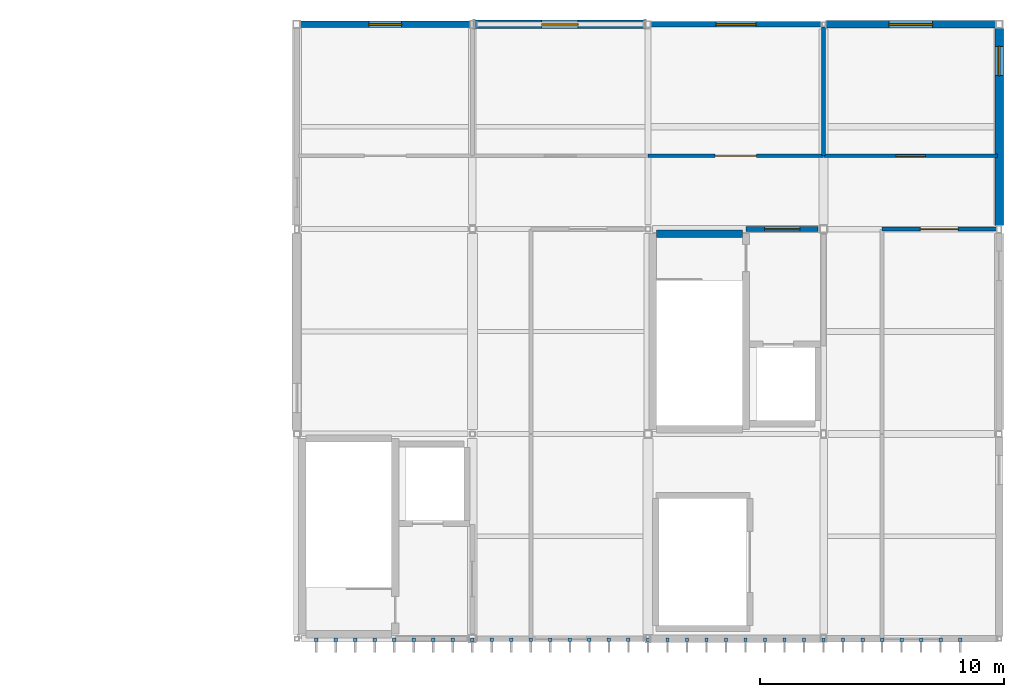
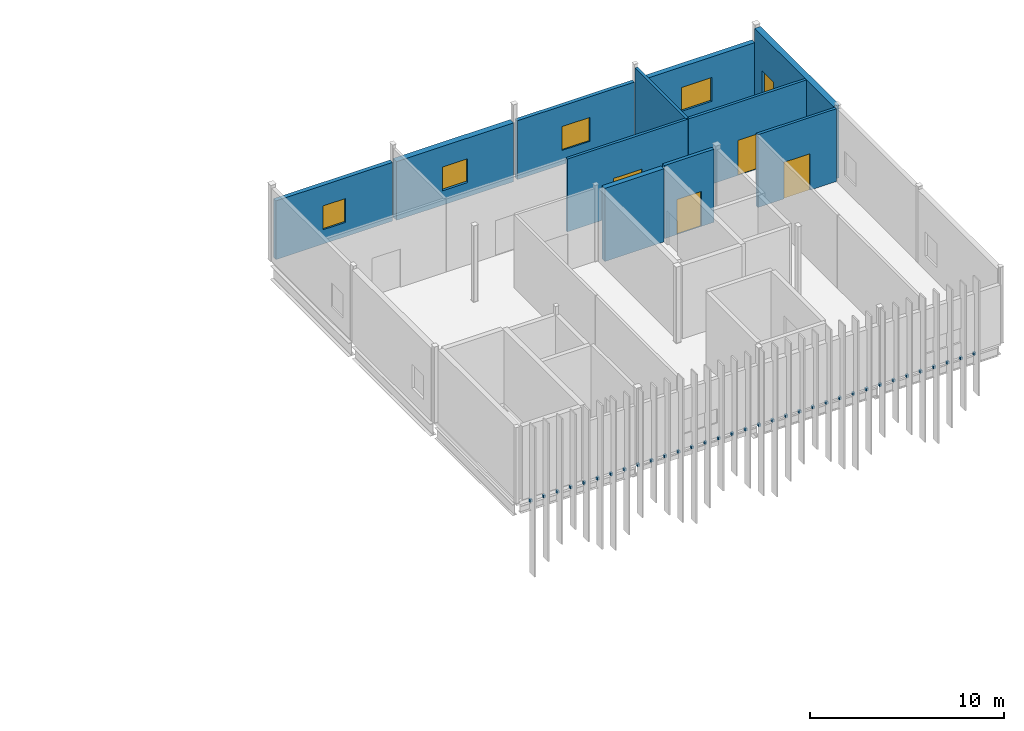
# One storey, part 22 of 27: 34 discrete accessories, 11 walls, 5 windows, 4 doors, 9 openings.
"""IFC4 building model written with IfcOpenShell, lengths in metres."""

from ifc_helpers import new_model, si_unit, direction, frame, frame_2d, origin, origin_2d, place, context, subcontext, project, spatial, rectangle, extrude, material, layer, layer_set, type_object, element, fill, save


model = new_model("IFC4")

# Units and contexts
model_context = context("Model", 3, precision=1e-05, world=origin(), true_north=direction((0.0, 1.0)))
body_context = subcontext(model_context, "Body", "Model", "MODEL_VIEW")
ifc_project = project(units=[si_unit("LENGTHUNIT", "METRE"), si_unit("AREAUNIT", "SQUARE_METRE"), si_unit("VOLUMEUNIT", "CUBIC_METRE"), si_unit("PLANEANGLEUNIT", "RADIAN"), si_unit("MASSUNIT", "GRAM", prefix="KILO")], contexts=[model_context])

# Site, building, storey
site_placement = place(None, origin())
site = spatial("IfcSite", under=ifc_project, at=site_placement, CompositionType="ELEMENT")
building_placement = place(site_placement, origin())
building = spatial("IfcBuilding", under=site, at=building_placement, Name="Calvrana Isthmian Art Gallery", CompositionType="ELEMENT")
storey_placement = place(building_placement, frame((0.0, 0.0, 24.60009765625)))
storey = spatial("IfcBuildingStorey", under=building, at=storey_placement, Name="L05", CompositionType="ELEMENT", Elevation=24.60009765625)

# Wall
ifc_material_1 = material(Name="Concrete C40/50", Category="concrete")
ifc_layer_1 = layer(ifc_material_1, 0.300048828125, Name="Concrete C40/50")
ifc_layer_set_1 = layer_set([ifc_layer_1], Name="Concrete C40/50")
wall_type_1 = type_object("IfcWallType", Name="CW-SHAFT-300", PredefinedType="SHEAR", material=ifc_layer_set_1)
wall_1_placement = place(storey_placement, frame((127.550048828125, 38.2099609375, 0.0), z_axis=(0.0, 0.0, 1.0), x_axis=(1.0, 0.0, 0.0)))
element("IfcWall", 1, at=wall_1_placement, inside=storey, type_object=wall_type_1, Name="Core C4 shear wall N L05", PredefinedType="SHEAR", context=body_context, shape_type="SweptSolid", body=[
    extrude(rectangle(XDim=3.52001953125, YDim=0.300048828125, at=frame_2d((1.760009765625, 0.0))), origin(), (0.0, 0.0, 1.0), 4.599853515625),
])

# Wall, opening, window
ifc_material_2 = material(Name="Precast concrete C40/50", Category="concrete")
ifc_layer_2 = layer(ifc_material_2, 0.219970703125, Name="Precast concrete C40/50")
ifc_layer_set_2 = layer_set([ifc_layer_2], Name="Precast concrete C40/50")
wall_type_2 = type_object("IfcWallType", Name="EW-ACOUST-220", PredefinedType="SOLIDWALL", material=ifc_layer_set_2)
wall_2_placement = place(storey_placement, frame((127.326904296875, 46.800048828125, 0.0), z_axis=(0.0, 0.0, 1.0), x_axis=(1.0, 0.0, 0.0)))
wall_2 = element("IfcWall", 2, at=wall_2_placement, inside=storey, type_object=wall_type_2, Name="Exterior wall EW-222", PredefinedType="SOLIDWALL", context=body_context, shape_type="SweptSolid", body=[
    extrude(rectangle(XDim=6.971435546875, YDim=0.219970703125, at=frame_2d((3.48583984375, 0.0))), origin(), (0.0, 0.0, 1.0), 3.69482421875),
])
opening_1_placement = place(wall_2_placement, frame((2.66064453125, 0.0, 0.89990234375)))
opening_1 = element("IfcOpeningElement", 3, at=opening_1_placement, cuts=wall_2, Name="Opening W-167", PredefinedType="OPENING", context=body_context, shape_type="SweptSolid", body=[
    extrude(rectangle(XDim=1.64990234375, YDim=1.5, at=frame_2d((0.824951171875, 0.75))), frame((0.0, 0.1201171875, 0.0), z_axis=(0.0, -1.0, 0.0), x_axis=(1.0, 0.0, 0.0)), (0.0, 0.0, 1.0), 0.240478515625),
])
ifc_material_3 = material(Name="Low-E laminated solar glass", Category="glass")
window_type_1 = type_object("IfcWindowType", Name="WN-G04", PartitioningType="SINGLE_PANEL", PredefinedType="WINDOW", material=ifc_material_3)
window_1_placement = place(opening_1_placement, origin())
window_1 = element("IfcWindow", 4, at=window_1_placement, inside=storey, type_object=window_type_1, Name="Facade window W-167", OverallHeight=1.5, OverallWidth=1.64990234375, PartitioningType="SINGLE_PANEL", PredefinedType="WINDOW", context=body_context, shape_type="SweptSolid", body=[
    extrude(rectangle(XDim=1.64990234375, YDim=1.5, at=frame_2d((0.824951171875, 0.75))), frame((0.0, 0.030029296875, 0.0), z_axis=(0.0, -1.0, 0.0), x_axis=(1.0, 0.0, 0.0)), (0.0, 0.0, 1.0), 0.06005859375),
])
fill(opening_1, window_1)

ifc_material_4 = material(Name="Pale Isthmian limestone", Category="masonry")
ifc_layer_3 = layer(ifc_material_4, 0.300048828125, Name="Pale Isthmian limestone")
ifc_layer_set_3 = layer_set([ifc_layer_3], Name="Pale Isthmian limestone")
wall_type_3 = type_object("IfcWallType", Name="EW-LIME-300", PredefinedType="SOLIDWALL", material=ifc_layer_set_3)
wall_3_placement = place(storey_placement, frame((134.501708984375, 46.800048828125, 0.0), z_axis=(0.0, 0.0, 1.0), x_axis=(1.0, 0.0, 0.0)))
wall_3 = element("IfcWall", 5, at=wall_3_placement, inside=storey, type_object=wall_type_3, Name="Exterior wall EW-223", PredefinedType="SOLIDWALL", context=body_context, shape_type="SweptSolid", body=[
    extrude(rectangle(XDim=6.94580078125, YDim=0.300048828125, at=frame_2d((3.472900390625, 0.0))), origin(), (0.0, 0.0, 1.0), 3.69482421875),
])
opening_2_placement = place(wall_3_placement, frame((2.572998046875, 0.0, 0.89990234375)))
opening_2 = element("IfcOpeningElement", 6, at=opening_2_placement, cuts=wall_3, Name="Opening W-168", PredefinedType="OPENING", context=body_context, shape_type="SweptSolid", body=[
    extrude(rectangle(XDim=1.800048828125, YDim=1.5, at=frame_2d((0.89990234375, 0.75))), frame((0.0, 0.16015625, 0.0), z_axis=(0.0, -1.0, 0.0), x_axis=(1.0, 0.0, 0.0)), (0.0, 0.0, 1.0), 0.320556640625),
])
window_type_2 = type_object("IfcWindowType", Name="WN-G05", PartitioningType="DOUBLE_PANEL_VERTICAL", PredefinedType="WINDOW", material=ifc_material_3)
window_2_placement = place(opening_2_placement, origin())
window_2 = element("IfcWindow", 7, at=window_2_placement, inside=storey, type_object=window_type_2, Name="Facade window W-168", OverallHeight=1.5, OverallWidth=1.800048828125, PartitioningType="SINGLE_PANEL", PredefinedType="WINDOW", context=body_context, shape_type="SweptSolid", body=[
    extrude(rectangle(XDim=1.800048828125, YDim=1.5, at=frame_2d((0.89990234375, 0.75))), frame((0.0, 0.030029296875, 0.0), z_axis=(0.0, -1.0, 0.0), x_axis=(1.0, 0.0, 0.0)), (0.0, 0.0, 1.0), 0.06005859375),
])
fill(opening_2, window_2)

ifc_layer_4 = layer(ifc_material_2, 0.35009765625, Name="Precast concrete C40/50")
ifc_layer_set_4 = layer_set([ifc_layer_4], Name="Precast concrete C40/50")
wall_type_4 = type_object("IfcWallType", Name="EW-PREC-350", PredefinedType="SOLIDWALL", material=ifc_layer_set_4)
wall_4_placement = place(storey_placement, frame((120.1015625, 46.800048828125, 0.0), z_axis=(0.0, 0.0, 1.0), x_axis=(1.0, 0.0, 0.0)))
wall_4 = element("IfcWall", 8, at=wall_4_placement, inside=storey, type_object=wall_type_4, Name="Exterior wall EW-221", PredefinedType="SOLIDWALL", context=body_context, shape_type="SweptSolid", body=[
    extrude(rectangle(XDim=6.971435546875, YDim=0.35009765625, at=frame_2d((3.48583984375, 0.0))), origin(), (0.0, 0.0, 1.0), 3.69482421875),
])
opening_3_placement = place(wall_4_placement, frame((2.735595703125, 0.0, 0.89990234375)))
opening_3 = element("IfcOpeningElement", 9, at=opening_3_placement, cuts=wall_4, Name="Opening W-166", PredefinedType="OPENING", context=body_context, shape_type="SweptSolid", body=[
    extrude(rectangle(XDim=1.5, YDim=1.5, at=frame_2d((0.75, 0.75))), frame((0.0, 0.185302734375, 0.0), z_axis=(0.0, -1.0, 0.0), x_axis=(1.0, 0.0, 0.0)), (0.0, 0.0, 1.0), 0.37060546875),
])
window_type_3 = type_object("IfcWindowType", Name="WN-G03", PartitioningType="SINGLE_PANEL", PredefinedType="WINDOW", material=ifc_material_3)
window_3_placement = place(opening_3_placement, origin())
window_3 = element("IfcWindow", 10, at=window_3_placement, inside=storey, type_object=window_type_3, Name="Facade window W-166", OverallHeight=1.5, OverallWidth=1.5, PartitioningType="SINGLE_PANEL", PredefinedType="WINDOW", context=body_context, shape_type="SweptSolid", body=[
    extrude(rectangle(XDim=1.5, YDim=1.5, at=frame_2d((0.75, 0.75))), frame((0.0, 0.030029296875, 0.0), z_axis=(0.0, -1.0, 0.0), x_axis=(1.0, 0.0, 0.0)), (0.0, 0.0, 1.0), 0.06005859375),
])
fill(opening_3, window_3)

wall_5_placement = place(storey_placement, frame((141.60009765625, 46.647705078125, 0.0), z_axis=(0.0, 0.0, 1.0), x_axis=(0.0, -1.0, 0.0)))
wall_5 = element("IfcWall", 11, at=wall_5_placement, inside=storey, type_object=wall_type_4, Name="Exterior wall EW-233", PredefinedType="SOLIDWALL", context=body_context, shape_type="SweptSolid", body=[
    extrude(rectangle(XDim=8.09521484375, YDim=0.35009765625, at=frame_2d((4.047607421875, 0.0))), origin(), (0.0, 0.0, 1.0), 4.599853515625),
])
opening_4_placement = place(wall_5_placement, frame((0.75, 0.0, 0.89990234375)))
opening_4 = element("IfcOpeningElement", 12, at=opening_4_placement, cuts=wall_5, Name="Opening W-178", PredefinedType="OPENING", context=body_context, shape_type="SweptSolid", body=[
    extrude(rectangle(XDim=1.199951171875, YDim=1.5, at=frame_2d((0.60009765625, 0.75))), frame((0.0, 0.185302734375, 0.0), z_axis=(0.0, -1.0, 0.0), x_axis=(1.0, 0.0, 0.0)), (0.0, 0.0, 1.0), 0.37060546875),
])
window_type_4 = type_object("IfcWindowType", Name="WN-G01", PartitioningType="SINGLE_PANEL", PredefinedType="WINDOW", material=ifc_material_3)
window_4_placement = place(opening_4_placement, origin())
window_4 = element("IfcWindow", 13, at=window_4_placement, inside=storey, type_object=window_type_4, Name="Facade window W-178", OverallHeight=1.5, OverallWidth=1.199951171875, PartitioningType="SINGLE_PANEL", PredefinedType="WINDOW", context=body_context, shape_type="SweptSolid", body=[
    extrude(rectangle(XDim=1.199951171875, YDim=1.5, at=frame_2d((0.60009765625, 0.75))), frame((0.0, 0.030029296875, 0.0), z_axis=(0.0, -1.0, 0.0), x_axis=(1.0, 0.0, 0.0)), (0.0, 0.0, 1.0), 0.06005859375),
])
fill(opening_4, window_4)

ifc_material_5 = material(Name="Polychrome glazed terracotta", Category="masonry")
ifc_layer_5 = layer(ifc_material_5, 0.25, Name="Polychrome glazed terracotta")
ifc_layer_set_5 = layer_set([ifc_layer_5], Name="Polychrome glazed terracotta")
wall_type_5 = type_object("IfcWallType", Name="EW-TERRA-250", PredefinedType="SOLIDWALL", material=ifc_layer_set_5)
wall_6_placement = place(storey_placement, frame((112.952392578125, 46.800048828125, 0.0), z_axis=(0.0, 0.0, 1.0), x_axis=(1.0, 0.0, 0.0)))
wall_6 = element("IfcWall", 14, at=wall_6_placement, inside=storey, type_object=wall_type_5, Name="Exterior wall EW-220", PredefinedType="SOLIDWALL", context=body_context, shape_type="SweptSolid", body=[
    extrude(rectangle(XDim=6.946044921875, YDim=0.25, at=frame_2d((3.47314453125, 0.0))), origin(), (0.0, 0.0, 1.0), 3.69482421875),
])
opening_5_placement = place(wall_6_placement, frame((2.798095703125, 0.0, 0.89990234375)))
opening_5 = element("IfcOpeningElement", 15, at=opening_5_placement, cuts=wall_6, Name="Opening W-165", PredefinedType="OPENING", context=body_context, shape_type="SweptSolid", body=[
    extrude(rectangle(XDim=1.35009765625, YDim=1.5, at=frame_2d((0.675048828125, 0.75))), frame((0.0, 0.13525390625, 0.0), z_axis=(0.0, -1.0, 0.0), x_axis=(1.0, 0.0, 0.0)), (0.0, 0.0, 1.0), 0.2705078125),
])
window_type_5 = type_object("IfcWindowType", Name="WN-G02", PartitioningType="SINGLE_PANEL", PredefinedType="WINDOW", material=ifc_material_3)
window_5_placement = place(opening_5_placement, origin())
window_5 = element("IfcWindow", 16, at=window_5_placement, inside=storey, type_object=window_type_5, Name="Facade window W-165", OverallHeight=1.5, OverallWidth=1.35009765625, PartitioningType="SINGLE_PANEL", PredefinedType="WINDOW", context=body_context, shape_type="SweptSolid", body=[
    extrude(rectangle(XDim=1.35009765625, YDim=1.5, at=frame_2d((0.675048828125, 0.75))), frame((0.0, 0.030029296875, 0.0), z_axis=(0.0, -1.0, 0.0), x_axis=(1.0, 0.0, 0.0)), (0.0, 0.0, 1.0), 0.06005859375),
])
fill(opening_5, window_5)

# Wall, opening, door
ifc_material_6 = material(Name="Acoustic gypsum ceiling", Category="gypsum")
ifc_layer_6 = layer(ifc_material_6, 0.199951171875, Name="Acoustic gypsum ceiling")
ifc_layer_set_6 = layer_set([ifc_layer_6], Name="Acoustic gypsum ceiling")
wall_type_6 = type_object("IfcWallType", Name="PW-FIRE-200", PredefinedType="PARTITIONING", material=ifc_layer_set_6)
wall_7_placement = place(storey_placement, frame((131.22998046875, 38.39990234375, 0.0), z_axis=(0.0, 0.0, 1.0), x_axis=(1.0, 0.0, 0.0)))
wall_7 = element("IfcWall", 17, at=wall_7_placement, inside=storey, type_object=wall_type_6, Name="Core C4 lobby enclosure L05", PredefinedType="PARTITIONING", context=body_context, shape_type="SweptSolid", body=[
    extrude(rectangle(XDim=2.949951171875, YDim=0.199951171875, at=frame_2d((1.47509765625, 0.0))), origin(), (0.0, 0.0, 1.0), 4.599853515625),
])
opening_6_placement = place(wall_7_placement, frame((0.75, 0.0, 0.0)))
opening_6 = element("IfcOpeningElement", 18, at=opening_6_placement, cuts=wall_7, Name="Opening D-155", PredefinedType="OPENING", context=body_context, shape_type="SweptSolid", body=[
    extrude(rectangle(XDim=1.449951171875, YDim=2.199951171875, at=frame_2d((0.72509765625, 1.10009765625))), frame((0.0, 0.1103515625, 0.0), z_axis=(0.0, -1.0, 0.0), x_axis=(1.0, 0.0, 0.0)), (0.0, 0.0, 1.0), 0.220458984375),
])
ifc_material_7 = material(Name="Steel ASTM A572 Gr 50", Category="steel")
door_type_1 = type_object("IfcDoorType", Name="DR-LOBBY-1450", OperationType="DOUBLE_DOOR_SINGLE_SWING", PredefinedType="DOOR", material=ifc_material_7)
door_1_placement = place(opening_6_placement, origin())
door_1 = element("IfcDoor", 19, at=door_1_placement, inside=storey, type_object=door_type_1, Name="Core C4 lobby fire door L05", OperationType="DOUBLE_DOOR_SINGLE_SWING", OverallHeight=2.199951171875, OverallWidth=1.449951171875, PredefinedType="DOOR", context=body_context, shape_type="SweptSolid", body=[
    extrude(rectangle(XDim=1.449951171875, YDim=2.199951171875, at=frame_2d((0.72509765625, 1.10009765625))), frame((0.0, 0.02490234375, 0.0), z_axis=(0.0, -1.0, 0.0), x_axis=(1.0, 0.0, 0.0)), (0.0, 0.0, 1.0), 0.050048828125),
])
fill(opening_6, door_1)

ifc_layer_7 = layer(ifc_material_6, 0.159912109375, Name="Acoustic gypsum ceiling")
ifc_layer_set_7 = layer_set([ifc_layer_7], Name="Acoustic gypsum ceiling")
wall_type_7 = type_object("IfcWallType", Name="PW-GAL-160", PredefinedType="PARTITIONING", material=ifc_layer_set_7)
wall_8_placement = place(storey_placement, frame((136.800048828125, 38.39990234375, 0.0), z_axis=(0.0, 0.0, 1.0), x_axis=(1.0, 0.0, 0.0)))
wall_8 = element("IfcWall", 20, at=wall_8_placement, inside=storey, type_object=wall_type_7, Name="Interior partition PW-624", PredefinedType="PARTITIONING", context=body_context, shape_type="SweptSolid", body=[
    extrude(rectangle(XDim=4.683349609375, YDim=0.159912109375, at=frame_2d((2.341796875, 0.0))), origin(), (0.0, 0.0, 1.0), 4.579833984375),
])
opening_7_placement = place(wall_8_placement, frame((1.566650390625, 0.0, 0.0)))
opening_7 = element("IfcOpeningElement", 21, at=opening_7_placement, cuts=wall_8, Name="Opening D-524", PredefinedType="OPENING", context=body_context, shape_type="SweptSolid", body=[
    extrude(rectangle(XDim=1.550048828125, YDim=2.300048828125, at=frame_2d((0.77490234375, 1.14990234375))), frame((0.0, 0.09033203125, 0.0), z_axis=(0.0, -1.0, 0.0), x_axis=(1.0, 0.0, 0.0)), (0.0, 0.0, 1.0), 0.180419921875),
])
ifc_material_8 = material(Name="Timber gallery flooring", Category="wood")
door_type_2 = type_object("IfcDoorType", Name="DR-AUD-1550", OperationType="DOUBLE_DOOR_SINGLE_SWING", PredefinedType="DOOR", material=ifc_material_8)
door_2_placement = place(opening_7_placement, origin())
door_2 = element("IfcDoor", 22, at=door_2_placement, inside=storey, type_object=door_type_2, Name="Interior door D-524", OperationType="DOUBLE_DOOR_SINGLE_SWING", OverallHeight=2.300048828125, OverallWidth=1.550048828125, PredefinedType="DOOR", context=body_context, shape_type="SweptSolid", body=[
    extrude(rectangle(XDim=1.550048828125, YDim=2.300048828125, at=frame_2d((0.77490234375, 1.14990234375))), frame((0.0, 0.02490234375, 0.0), z_axis=(0.0, -1.0, 0.0), x_axis=(1.0, 0.0, 0.0)), (0.0, 0.0, 1.0), 0.050048828125),
])
fill(opening_7, door_2)

wall_9_placement = place(storey_placement, frame((127.2099609375, 41.409912109375, 0.0), z_axis=(0.0, 0.0, 1.0), x_axis=(1.0, 0.0, 0.0)))
wall_9 = element("IfcWall", 23, at=wall_9_placement, inside=storey, type_object=wall_type_7, Name="Interior partition PW-628", PredefinedType="PARTITIONING", context=body_context, shape_type="SweptSolid", body=[
    extrude(rectangle(XDim=7.179931640625, YDim=0.159912109375, at=frame_2d((3.58984375, 0.0))), origin(), (0.0, 0.0, 1.0), 4.579833984375),
])
opening_8_placement = place(wall_9_placement, frame((2.739990234375, 0.0, 0.0)))
opening_8 = element("IfcOpeningElement", 24, at=opening_8_placement, cuts=wall_9, Name="Opening D-527", PredefinedType="OPENING", context=body_context, shape_type="SweptSolid", body=[
    extrude(rectangle(XDim=1.699951171875, YDim=2.39990234375, at=frame_2d((0.85009765625, 1.199951171875))), frame((0.0, 0.09033203125, 0.0), z_axis=(0.0, -1.0, 0.0), x_axis=(1.0, 0.0, 0.0)), (0.0, 0.0, 1.0), 0.180419921875),
])
door_type_3 = type_object("IfcDoorType", Name="DR-GAL-1700", OperationType="DOUBLE_DOOR_SINGLE_SWING", PredefinedType="DOOR", material=ifc_material_8)
door_3_placement = place(opening_8_placement, origin())
door_3 = element("IfcDoor", 25, at=door_3_placement, inside=storey, type_object=door_type_3, Name="Interior door D-527", OperationType="DOUBLE_DOOR_SINGLE_SWING", OverallHeight=2.39990234375, OverallWidth=1.699951171875, PredefinedType="DOOR", context=body_context, shape_type="SweptSolid", body=[
    extrude(rectangle(XDim=1.699951171875, YDim=2.39990234375, at=frame_2d((0.85009765625, 1.199951171875))), frame((0.0, 0.02490234375, 0.0), z_axis=(0.0, -1.0, 0.0), x_axis=(1.0, 0.0, 0.0)), (0.0, 0.0, 1.0), 0.050048828125),
])
fill(opening_8, door_3)

# Wall
wall_10_placement = place(storey_placement, frame((134.39990234375, 41.419921875, 0.0), z_axis=(0.0, 0.0, 1.0), x_axis=(0.0, 1.0, 0.0)))
element("IfcWall", 26, at=wall_10_placement, inside=storey, type_object=wall_type_7, Name="Interior partition PW-629", PredefinedType="PARTITIONING", context=body_context, shape_type="SweptSolid", body=[
    extrude(rectangle(XDim=5.263427734375, YDim=0.159912109375, at=frame_2d((2.6318359375, 0.0))), origin(), (0.0, 0.0, 1.0), 4.579833984375),
])

# Wall, opening, door
wall_11_placement = place(storey_placement, frame((134.409912109375, 41.409912109375, 0.0), z_axis=(0.0, 0.0, 1.0), x_axis=(1.0, 0.0, 0.0)))
wall_11 = element("IfcWall", 27, at=wall_11_placement, inside=storey, type_object=wall_type_7, Name="Interior partition PW-630", PredefinedType="PARTITIONING", context=body_context, shape_type="SweptSolid", body=[
    extrude(rectangle(XDim=7.130126953125, YDim=0.159912109375, at=frame_2d((3.56494140625, 0.0))), origin(), (0.0, 0.0, 1.0), 4.579833984375),
])
opening_9_placement = place(wall_11_placement, frame((2.965087890625, 0.0, 0.0)))
opening_9 = element("IfcOpeningElement", 28, at=opening_9_placement, cuts=wall_11, Name="Opening D-528", PredefinedType="OPENING", context=body_context, shape_type="SweptSolid", body=[
    extrude(rectangle(XDim=1.199951171875, YDim=2.199951171875, at=frame_2d((0.60009765625, 1.10009765625))), frame((0.0, 0.09033203125, 0.0), z_axis=(0.0, -1.0, 0.0), x_axis=(1.0, 0.0, 0.0)), (0.0, 0.0, 1.0), 0.180419921875),
])
door_type_4 = type_object("IfcDoorType", Name="DR-RM-1200", OperationType="NOTDEFINED", PredefinedType="DOOR", material=ifc_material_8)
door_4_placement = place(opening_9_placement, origin())
door_4 = element("IfcDoor", 29, at=door_4_placement, inside=storey, type_object=door_type_4, Name="Interior door D-528", OperationType="SINGLE_SWING_RIGHT", OverallHeight=2.199951171875, OverallWidth=1.199951171875, PredefinedType="DOOR", context=body_context, shape_type="SweptSolid", body=[
    extrude(rectangle(XDim=1.199951171875, YDim=2.199951171875, at=frame_2d((0.60009765625, 1.10009765625))), frame((0.0, 0.02490234375, 0.0), z_axis=(0.0, -1.0, 0.0), x_axis=(1.0, 0.0, 0.0)), (0.0, 0.0, 1.0), 0.050048828125),
])
fill(opening_9, door_4)

# Discrete accessories
ifc_material_9 = material(Name="Stainless steel 316", Category="steel")
discrete_accessory_type = type_object("IfcDiscreteAccessoryType", Name="ACC-BRK-FIN", PredefinedType="BRACKET", material=ifc_material_9)
for number, where, z_axis, x_axis, name in (
    (30, (113.60009765625, 21.56005859375, -0.2001953125), (0.0, 0.0, 1.0), (1.0, 0.0, 0.0), "Solar fin outrigger bracket V4_S-000"),
    (31, (114.39990234375, 21.56005859375, -0.2001953125), (0.0, 0.0, 1.0), (1.0, 0.0, 0.0), "Solar fin outrigger bracket V4_S-001"),
    (32, (115.199951171875, 21.56005859375, -0.2001953125), (0.0, 0.0, 1.0), (1.0, 0.0, 0.0), "Solar fin outrigger bracket V4_S-002"),
    (33, (116.0, 21.56005859375, -0.2001953125), (0.0, 0.0, 1.0), (1.0, 0.0, 0.0), "Solar fin outrigger bracket V4_S-003"),
    (34, (116.800048828125, 21.56005859375, -0.2001953125), (0.0, 0.0, 1.0), (1.0, 0.0, 0.0), "Solar fin outrigger bracket V4_S-004"),
    (35, (117.60009765625, 21.56005859375, -0.2001953125), (0.0, 0.0, 1.0), (1.0, 0.0, 0.0), "Solar fin outrigger bracket V4_S-005"),
    (36, (118.39990234375, 21.56005859375, -0.2001953125), (0.0, 0.0, 1.0), (1.0, 0.0, 0.0), "Solar fin outrigger bracket V4_S-006"),
    (37, (119.199951171875, 21.56005859375, -0.2001953125), (0.0, 0.0, 1.0), (1.0, 0.0, 0.0), "Solar fin outrigger bracket V4_S-007"),
    (38, (120.0, 21.56005859375, -0.2001953125), (0.0, 0.0, 1.0), (1.0, 0.0, 0.0), "Solar fin outrigger bracket V4_S-008"),
    (39, (120.800048828125, 21.56005859375, -0.2001953125), (0.0, 0.0, 1.0), (1.0, 0.0, 0.0), "Solar fin outrigger bracket V4_S-009"),
    (40, (121.60009765625, 21.56005859375, -0.2001953125), (0.0, 0.0, 1.0), (1.0, 0.0, 0.0), "Solar fin outrigger bracket V4_S-010"),
    (41, (122.39990234375, 21.56005859375, -0.2001953125), (0.0, 0.0, 1.0), (1.0, 0.0, 0.0), "Solar fin outrigger bracket V4_S-011"),
    (42, (123.199951171875, 21.56005859375, -0.2001953125), (0.0, 0.0, 1.0), (1.0, 0.0, 0.0), "Solar fin outrigger bracket V4_S-012"),
    (43, (124.0, 21.56005859375, -0.2001953125), (0.0, 0.0, 1.0), (1.0, 0.0, 0.0), "Solar fin outrigger bracket V4_S-013"),
    (44, (124.800048828125, 21.56005859375, -0.2001953125), (0.0, 0.0, 1.0), (1.0, 0.0, 0.0), "Solar fin outrigger bracket V4_S-014"),
    (45, (125.60009765625, 21.56005859375, -0.2001953125), (0.0, 0.0, 1.0), (1.0, 0.0, 0.0), "Solar fin outrigger bracket V4_S-015"),
    (46, (126.39990234375, 21.56005859375, -0.2001953125), (0.0, 0.0, 1.0), (1.0, 0.0, 0.0), "Solar fin outrigger bracket V4_S-016"),
    (47, (127.199951171875, 21.56005859375, -0.2001953125), (0.0, 0.0, 1.0), (1.0, 0.0, 0.0), "Solar fin outrigger bracket V4_S-017"),
    (48, (128.0, 21.56005859375, -0.2001953125), (0.0, 0.0, 1.0), (1.0, 0.0, 0.0), "Solar fin outrigger bracket V4_S-018"),
    (49, (128.800048828125, 21.56005859375, -0.2001953125), (0.0, 0.0, 1.0), (1.0, 0.0, 0.0), "Solar fin outrigger bracket V4_S-019"),
    (50, (129.60009765625, 21.56005859375, -0.2001953125), (0.0, 0.0, 1.0), (1.0, 0.0, 0.0), "Solar fin outrigger bracket V4_S-020"),
    (51, (130.39990234375, 21.56005859375, -0.2001953125), (0.0, 0.0, 1.0), (1.0, 0.0, 0.0), "Solar fin outrigger bracket V4_S-021"),
    (52, (131.199951171875, 21.56005859375, -0.2001953125), (0.0, 0.0, 1.0), (1.0, 0.0, 0.0), "Solar fin outrigger bracket V4_S-022"),
    (53, (132.0, 21.56005859375, -0.2001953125), (0.0, 0.0, 1.0), (1.0, 0.0, 0.0), "Solar fin outrigger bracket V4_S-023"),
    (54, (132.800048828125, 21.56005859375, -0.2001953125), (0.0, 0.0, 1.0), (1.0, 0.0, 0.0), "Solar fin outrigger bracket V4_S-024"),
    (55, (133.60009765625, 21.56005859375, -0.2001953125), (0.0, 0.0, 1.0), (1.0, 0.0, 0.0), "Solar fin outrigger bracket V4_S-025"),
    (56, (134.39990234375, 21.56005859375, -0.2001953125), (0.0, 0.0, 1.0), (1.0, 0.0, 0.0), "Solar fin outrigger bracket V4_S-026"),
    (57, (135.199951171875, 21.56005859375, -0.2001953125), (0.0, 0.0, 1.0), (1.0, 0.0, 0.0), "Solar fin outrigger bracket V4_S-027"),
    (58, (136.0, 21.56005859375, -0.2001953125), (0.0, 0.0, 1.0), (1.0, 0.0, 0.0), "Solar fin outrigger bracket V4_S-028"),
    (59, (136.800048828125, 21.56005859375, -0.2001953125), (0.0, 0.0, 1.0), (1.0, 0.0, 0.0), "Solar fin outrigger bracket V4_S-029"),
    (60, (137.60009765625, 21.56005859375, -0.2001953125), (0.0, 0.0, 1.0), (1.0, 0.0, 0.0), "Solar fin outrigger bracket V4_S-030"),
    (61, (138.39990234375, 21.56005859375, -0.2001953125), (0.0, 0.0, 1.0), (1.0, 0.0, 0.0), "Solar fin outrigger bracket V4_S-031"),
    (62, (139.199951171875, 21.56005859375, -0.2001953125), (0.0, 0.0, 1.0), (1.0, 0.0, 0.0), "Solar fin outrigger bracket V4_S-032"),
    (63, (140.0, 21.56005859375, -0.2001953125), (0.0, 0.0, 1.0), (1.0, 0.0, 0.0), "Solar fin outrigger bracket V4_S-033"),
):
    element("IfcDiscreteAccessory", number, at=place(storey_placement, frame(where, z_axis=z_axis, x_axis=x_axis)), inside=storey, type_object=discrete_accessory_type, Name=name, PredefinedType="BRACKET", context=body_context, shape_type="SweptSolid", body=[
        extrude(rectangle(XDim=0.139892578125, YDim=0.159912109375, at=origin_2d()), origin(), (0.0, 0.0, 1.0), 0.159912109375),
    ])

save(model, "model.ifc")
